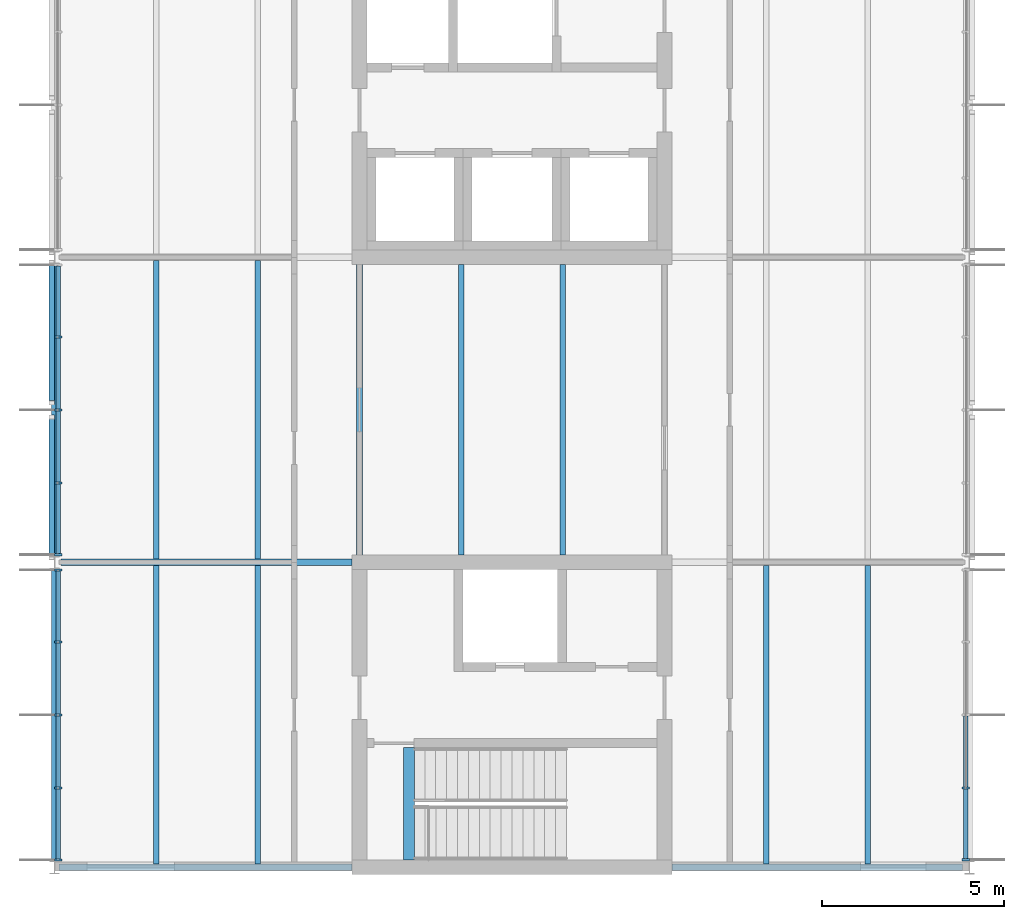
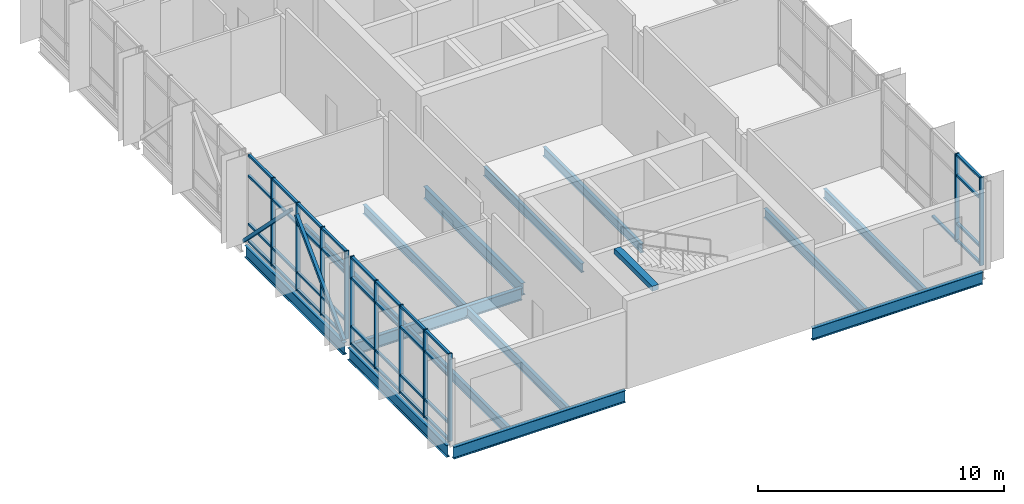
# One storey, part 3 of 17: 50 members, 15 beams, 3 elements without a shape of their own.
"""IFC4 building model written with IfcOpenShell, lengths in metres."""

from ifc_helpers import new_model, si_unit, direction, frame, origin, origin_2d, place, context, subcontext, project, spatial, rectangle, hollow_rectangle, i_section, extrude, material, material_profile, profile_set, type_object, element, aggregate, save


model = new_model("IFC4")

# Units and contexts
model_context = context("Model", 3, precision=1e-05, world=origin(), true_north=direction((0.0, 1.0)))
body_context = subcontext(model_context, "Body", "Model", "MODEL_VIEW")
ifc_project = project(units=[si_unit("LENGTHUNIT", "METRE"), si_unit("AREAUNIT", "SQUARE_METRE"), si_unit("VOLUMEUNIT", "CUBIC_METRE"), si_unit("PLANEANGLEUNIT", "RADIAN"), si_unit("MASSUNIT", "GRAM", prefix="KILO")], contexts=[model_context])

# Site, building, storey
site_placement = place(None, origin())
site = spatial("IfcSite", under=ifc_project, at=site_placement, CompositionType="ELEMENT")
building_placement = place(site_placement, origin())
building = spatial("IfcBuilding", under=site, at=building_placement, Name="Hlaing Beacon Police Headquarters", CompositionType="ELEMENT")
storey_placement = place(building_placement, frame((0.0, 0.0, 36.89990234375)))
storey = spatial("IfcBuildingStorey", under=building, at=storey_placement, Name="L08", CompositionType="ELEMENT", Elevation=36.89990234375)

# Members
ifc_material_1 = material(Name="Steel ASTM A500 Grade C", Category="steel")
ifc_material_profile_1 = material_profile(ifc_material_1, hollow_rectangle(XDim=0.15234375, YDim=0.15234375, WallThickness=0.009521484375, at=origin_2d()), Name="HSS6x6x3/8")
ifc_profile_set_1 = profile_set([ifc_material_profile_1], Name="Steel ASTM A500 Grade C")
member_type_1 = type_object("IfcMemberType", Name="Chevron brace HSS6x6x3/8", PredefinedType="BRACE", material=ifc_profile_set_1)
for number, where, z_axis, x_axis, name in (
    (1, (100.7197265625, 42.1298828125, 0.05419921875), (0.0, 0.704124468733, 0.710076568077), (-1.0, 0.0, 0.0), "STR-BR-L08-N6a"),
    (2, (100.7197265625, 50.27001953125, 0.05419921875), (0.0, -0.704124468733, 0.710076568077), (1.0, 0.0, 0.0), "STR-BR-L08-N6b"),
):
    element("IfcMember", number, at=place(storey_placement, frame(where, z_axis=z_axis, x_axis=x_axis)), inside=storey, type_object=member_type_1, Name=name, PredefinedType="BRACE", context=body_context, shape_type="SweptSolid", body=[
        extrude(hollow_rectangle(XDim=0.15234375, YDim=0.15234375, WallThickness=0.009521484375, at=origin_2d()), origin(), (0.0, 0.0, 1.0), 5.496337890625),
    ])

# Beams
ifc_material_2 = material(Name="Steel ASTM A992 Grade 50", Category="steel")
ifc_material_profile_2 = material_profile(ifc_material_2, i_section(OverallWidth=0.177978515625, OverallDepth=0.599365234375, WebThickness=0.010009765625, FlangeThickness=0.012939453125, FilletRadius=0.012939453125, at=origin_2d()), Name="W24x55")
ifc_profile_set_2 = profile_set([ifc_material_profile_2], Name="Steel ASTM A992 Grade 50")
beam_type_1 = type_object("IfcBeamType", Name="Girder W24x55", PredefinedType="BEAM", material=ifc_profile_set_2)
beam_1_placement = place(storey_placement, frame((100.927978515625, 33.60009765625, -0.4296875), z_axis=(1.0, 0.0, 0.0), x_axis=(0.0, 1.0, 0.0)))
element("IfcBeam", 3, at=beam_1_placement, inside=storey, type_object=beam_type_1, Name="STR-BM-L08-GX-N5-P5", PredefinedType="BEAM", context=body_context, shape_type="SweptSolid", body=[
    extrude(i_section(OverallWidth=0.177978515625, OverallDepth=0.599365234375, WebThickness=0.010009765625, FlangeThickness=0.012939453125, FilletRadius=0.012939453125, at=origin_2d()), origin(), (0.0, 0.0, 1.0), 8.072021484375),
])
beam_2_placement = place(storey_placement, frame((117.800048828125, 33.60009765625, -0.4296875), z_axis=(1.0, 0.0, 0.0), x_axis=(0.0, 1.0, 0.0)))
element("IfcBeam", 4, at=beam_2_placement, inside=storey, type_object=beam_type_1, Name="STR-BM-L08-GX-Q5-R5", PredefinedType="BEAM", context=body_context, shape_type="SweptSolid", body=[
    extrude(i_section(OverallWidth=0.177978515625, OverallDepth=0.599365234375, WebThickness=0.010009765625, FlangeThickness=0.012939453125, FilletRadius=0.012939453125, at=origin_2d()), origin(), (0.0, 0.0, 1.0), 8.012939453125),
])
beam_3_placement = place(storey_placement, frame((100.985107421875, 42.0, -0.4296875), z_axis=(1.0, 0.0, 0.0), x_axis=(0.0, 1.0, 0.0)))
element("IfcBeam", 5, at=beam_3_placement, inside=storey, type_object=beam_type_1, Name="STR-BM-L08-GX-N6-P6", PredefinedType="BEAM", context=body_context, shape_type="SweptSolid", body=[
    extrude(i_section(OverallWidth=0.177978515625, OverallDepth=0.599365234375, WebThickness=0.010009765625, FlangeThickness=0.012939453125, FilletRadius=0.012939453125, at=origin_2d()), origin(), (0.0, 0.0, 1.0), 8.014892578125),
])
beam_4_placement = place(storey_placement, frame((100.800048828125, 33.780029296875, -0.4296875), z_axis=(0.0, 1.0, 0.0), x_axis=(-1.0, 0.0, 0.0)))
element("IfcBeam", 6, at=beam_4_placement, inside=storey, type_object=beam_type_1, Name="STR-BM-L08-GY-N5-N6", PredefinedType="BEAM", context=body_context, shape_type="SweptSolid", body=[
    extrude(i_section(OverallWidth=0.177978515625, OverallDepth=0.599365234375, WebThickness=0.010009765625, FlangeThickness=0.012939453125, FilletRadius=0.012939453125, at=origin_2d()), origin(), (0.0, 0.0, 1.0), 8.0400390625),
])
beam_5_placement = place(storey_placement, frame((109.199951171875, 42.199951171875, -0.4296875), z_axis=(0.0, 1.0, 0.0), x_axis=(-1.0, 0.0, 0.0)))
element("IfcBeam", 7, at=beam_5_placement, inside=storey, type_object=beam_type_1, Name="STR-BM-L08-GY-P6-P7", PredefinedType="BEAM", context=body_context, shape_type="SweptSolid", body=[
    extrude(i_section(OverallWidth=0.177978515625, OverallDepth=0.599365234375, WebThickness=0.010009765625, FlangeThickness=0.012939453125, FilletRadius=0.012939453125, at=origin_2d()), origin(), (0.0, 0.0, 1.0), 8.0),
])
ifc_material_3 = material(Name="Steel ASTM A992 Grade 50", Category="steel")
ifc_material_profile_3 = material_profile(ifc_material_3, i_section(OverallWidth=0.1787109375, OverallDepth=0.60205078125, WebThickness=0.010986328125, FlangeThickness=0.014892578125, FilletRadius=0.0126953125, at=origin_2d()), Name="W24x62")
ifc_profile_set_3 = profile_set([ifc_material_profile_3], Name="Steel ASTM A992 Grade 50")
beam_type_2 = type_object("IfcBeamType", Name="Girder W24x62", PredefinedType="BEAM", material=ifc_profile_set_3)
beam_6_placement = place(storey_placement, frame((100.800048828125, 42.179931640625, -0.430908203125), z_axis=(0.0, 1.0, 0.0), x_axis=(-1.0, 0.0, 0.0)))
element("IfcBeam", 8, at=beam_6_placement, inside=storey, type_object=beam_type_2, Name="STR-BM-L08-GY-N6-N7", PredefinedType="BEAM", context=body_context, shape_type="SweptSolid", body=[
    extrude(i_section(OverallWidth=0.1787109375, OverallDepth=0.60205078125, WebThickness=0.010986328125, FlangeThickness=0.014892578125, FilletRadius=0.0126953125, at=origin_2d()), origin(), (0.0, 0.0, 1.0), 8.0400390625),
])

# Curtain wall, members
ifc_material_4 = material(Name="Aluminium frame with solar control glazing", Category="aluminium")
curtain_wall_type = type_object("IfcCurtainWallType", Name="Unitised curtain wall 8.04 x 4.37", PredefinedType="NOTDEFINED", material=ifc_material_4)
curtain_wall_1_placement = place(storey_placement, origin())
curtain_wall_1 = element("IfcCurtainWall", 9, at=curtain_wall_1_placement, inside=storey, type_object=curtain_wall_type, Name="ENV-CW-L08-E001", PredefinedType="NOTDEFINED")
ifc_material_5 = material(Name="Aluminium", Category="aluminium")
ifc_material_profile_4 = material_profile(ifc_material_5, rectangle(XDim=0.199951171875, YDim=0.06005859375, at=origin_2d()), Name="Mullion 60x200")
ifc_profile_set_4 = profile_set([ifc_material_profile_4], Name="Aluminium")
member_type_2 = type_object("IfcMemberType", Name="Mullion 60x200", PredefinedType="MULLION", material=ifc_profile_set_4)
member_1_placement = place(storey_placement, frame((125.89990234375, 33.8115234375, 0.0), z_axis=(0.0, 0.0, 1.0), x_axis=(-1.0, 0.0, 0.0)))
member_1 = element("IfcMember", 10, at=member_1_placement, type_object=member_type_2, Name="CW-L08-E001 mullion 1", PredefinedType="MULLION", context=body_context, shape_type="SweptSolid", body=[
    extrude(rectangle(XDim=0.199951171875, YDim=0.06005859375, at=origin_2d()), origin(), (0.0, 0.0, 1.0), 4.3701171875),
])
member_2_placement = place(storey_placement, frame((125.89990234375, 35.790771484375, 0.0), z_axis=(0.0, 0.0, 1.0), x_axis=(-1.0, 0.0, 0.0)))
member_2 = element("IfcMember", 11, at=member_2_placement, type_object=member_type_2, Name="CW-L08-E001 mullion 2", PredefinedType="MULLION", context=body_context, shape_type="SweptSolid", body=[
    extrude(rectangle(XDim=0.199951171875, YDim=0.06005859375, at=origin_2d()), origin(), (0.0, 0.0, 1.0), 4.3701171875),
])

curtain_wall_2_placement = place(storey_placement, origin())
curtain_wall_2 = element("IfcCurtainWall", 12, at=curtain_wall_2_placement, inside=storey, type_object=curtain_wall_type, Name="ENV-CW-L08-W007", PredefinedType="NOTDEFINED")
member_3_placement = place(storey_placement, frame((100.89990234375, 48.209228515625, 0.0), z_axis=(0.0, 0.0, 1.0), x_axis=(1.0, 0.0, 0.0)))
member_3 = element("IfcMember", 13, at=member_3_placement, type_object=member_type_2, Name="CW-L08-W007 mullion 2", PredefinedType="MULLION", context=body_context, shape_type="SweptSolid", body=[
    extrude(rectangle(XDim=0.199951171875, YDim=0.06005859375, at=origin_2d()), origin(), (0.0, 0.0, 1.0), 4.3701171875),
])
member_4_placement = place(storey_placement, frame((100.89990234375, 46.199951171875, 0.0), z_axis=(0.0, 0.0, 1.0), x_axis=(1.0, 0.0, 0.0)))
member_4 = element("IfcMember", 14, at=member_4_placement, type_object=member_type_2, Name="CW-L08-W007 mullion 3", PredefinedType="MULLION", context=body_context, shape_type="SweptSolid", body=[
    extrude(rectangle(XDim=0.199951171875, YDim=0.06005859375, at=origin_2d()), origin(), (0.0, 0.0, 1.0), 4.3701171875),
])
member_5_placement = place(storey_placement, frame((100.89990234375, 44.19091796875, 0.0), z_axis=(0.0, 0.0, 1.0), x_axis=(1.0, 0.0, 0.0)))
member_5 = element("IfcMember", 15, at=member_5_placement, type_object=member_type_2, Name="CW-L08-W007 mullion 4", PredefinedType="MULLION", context=body_context, shape_type="SweptSolid", body=[
    extrude(rectangle(XDim=0.199951171875, YDim=0.06005859375, at=origin_2d()), origin(), (0.0, 0.0, 1.0), 4.3701171875),
])
member_6_placement = place(storey_placement, frame((100.89990234375, 42.211669921875, 0.0), z_axis=(0.0, 0.0, 1.0), x_axis=(1.0, 0.0, 0.0)))
member_6 = element("IfcMember", 16, at=member_6_placement, type_object=member_type_2, Name="CW-L08-W007 mullion 5", PredefinedType="MULLION", context=body_context, shape_type="SweptSolid", body=[
    extrude(rectangle(XDim=0.199951171875, YDim=0.06005859375, at=origin_2d()), origin(), (0.0, 0.0, 1.0), 4.3701171875),
])

curtain_wall_3_placement = place(storey_placement, origin())
curtain_wall_3 = element("IfcCurtainWall", 17, at=curtain_wall_3_placement, inside=storey, type_object=curtain_wall_type, Name="ENV-CW-L08-W008", PredefinedType="NOTDEFINED")
member_7_placement = place(storey_placement, frame((100.89990234375, 41.788330078125, 0.0), z_axis=(0.0, 0.0, 1.0), x_axis=(1.0, 0.0, 0.0)))
member_7 = element("IfcMember", 18, at=member_7_placement, type_object=member_type_2, Name="CW-L08-W008 mullion 1", PredefinedType="MULLION", context=body_context, shape_type="SweptSolid", body=[
    extrude(rectangle(XDim=0.199951171875, YDim=0.06005859375, at=origin_2d()), origin(), (0.0, 0.0, 1.0), 4.3701171875),
])
member_8_placement = place(storey_placement, frame((100.89990234375, 39.807861328125, 0.0), z_axis=(0.0, 0.0, 1.0), x_axis=(1.0, 0.0, 0.0)))
member_8 = element("IfcMember", 19, at=member_8_placement, type_object=member_type_2, Name="CW-L08-W008 mullion 2", PredefinedType="MULLION", context=body_context, shape_type="SweptSolid", body=[
    extrude(rectangle(XDim=0.199951171875, YDim=0.06005859375, at=origin_2d()), origin(), (0.0, 0.0, 1.0), 4.3701171875),
])
member_9_placement = place(storey_placement, frame((100.89990234375, 37.79736328125, 0.0), z_axis=(0.0, 0.0, 1.0), x_axis=(1.0, 0.0, 0.0)))
member_9 = element("IfcMember", 20, at=member_9_placement, type_object=member_type_2, Name="CW-L08-W008 mullion 3", PredefinedType="MULLION", context=body_context, shape_type="SweptSolid", body=[
    extrude(rectangle(XDim=0.199951171875, YDim=0.06005859375, at=origin_2d()), origin(), (0.0, 0.0, 1.0), 4.3701171875),
])
member_10_placement = place(storey_placement, frame((100.89990234375, 35.786865234375, 0.0), z_axis=(0.0, 0.0, 1.0), x_axis=(1.0, 0.0, 0.0)))
member_10 = element("IfcMember", 21, at=member_10_placement, type_object=member_type_2, Name="CW-L08-W008 mullion 4", PredefinedType="MULLION", context=body_context, shape_type="SweptSolid", body=[
    extrude(rectangle(XDim=0.199951171875, YDim=0.06005859375, at=origin_2d()), origin(), (0.0, 0.0, 1.0), 4.3701171875),
])
member_11_placement = place(storey_placement, frame((100.89990234375, 33.806396484375, 0.0), z_axis=(0.0, 0.0, 1.0), x_axis=(1.0, 0.0, 0.0)))
member_11 = element("IfcMember", 22, at=member_11_placement, type_object=member_type_2, Name="CW-L08-W008 mullion 5", PredefinedType="MULLION", context=body_context, shape_type="SweptSolid", body=[
    extrude(rectangle(XDim=0.199951171875, YDim=0.06005859375, at=origin_2d()), origin(), (0.0, 0.0, 1.0), 4.3701171875),
])

# Beams
ifc_material_6 = material(Name="Steel ASTM A992 Grade 50", Category="steel")
ifc_material_profile_5 = material_profile(ifc_material_6, i_section(OverallWidth=0.15234375, OverallDepth=0.449462890625, WebThickness=0.007568359375, FlangeThickness=0.0107421875, FilletRadius=0.01025390625, at=origin_2d()), Name="W18x35")
ifc_profile_set_5 = profile_set([ifc_material_profile_5], Name="Steel ASTM A992 Grade 50")
beam_type_3 = type_object("IfcBeamType", Name="Secondary beam W18x35", PredefinedType="BEAM", material=ifc_profile_set_5)
for number, where, z_axis, x_axis, name in (
    (23, (103.60009765625, 33.68896484375, -0.354736328125), (0.0, 1.0, 0.0), (-1.0, 0.0, 0.0), "STR-BM-L08-SB-N5-y1"),
    (24, (106.39990234375, 33.68896484375, -0.354736328125), (0.0, 1.0, 0.0), (-1.0, 0.0, 0.0), "STR-BM-L08-SB-N5-y2"),
    (25, (103.60009765625, 42.089111328125, -0.354736328125), (0.0, 1.0, 0.0), (-1.0, 0.0, 0.0), "STR-BM-L08-SB-N6-y1"),
    (26, (106.39990234375, 42.089111328125, -0.354736328125), (0.0, 1.0, 0.0), (-1.0, 0.0, 0.0), "STR-BM-L08-SB-N6-y2"),
):
    element("IfcBeam", number, at=place(storey_placement, frame(where, z_axis=z_axis, x_axis=x_axis)), inside=storey, type_object=beam_type_3, Name=name, PredefinedType="BEAM", context=body_context, shape_type="SweptSolid", body=[
        extrude(i_section(OverallWidth=0.15234375, OverallDepth=0.449462890625, WebThickness=0.007568359375, FlangeThickness=0.0107421875, FilletRadius=0.01025390625, at=origin_2d()), origin(), (0.0, 0.0, 1.0), 8.221923828125),
    ])
for number, where, z_axis, x_axis, name in (
    (27, (112.0, 42.199951171875, -0.354736328125), (0.0, 1.0, 0.0), (-1.0, 0.0, 0.0), "STR-BM-L08-SB-P6-y1"),
    (28, (114.800048828125, 42.199951171875, -0.354736328125), (0.0, 1.0, 0.0), (-1.0, 0.0, 0.0), "STR-BM-L08-SB-P6-y2"),
):
    element("IfcBeam", number, at=place(storey_placement, frame(where, z_axis=z_axis, x_axis=x_axis)), inside=storey, type_object=beam_type_3, Name=name, PredefinedType="BEAM", context=body_context, shape_type="SweptSolid", body=[
        extrude(i_section(OverallWidth=0.15234375, OverallDepth=0.449462890625, WebThickness=0.007568359375, FlangeThickness=0.0107421875, FilletRadius=0.01025390625, at=origin_2d()), origin(), (0.0, 0.0, 1.0), 8.0),
    ])
for number, where, z_axis, x_axis, name in (
    (29, (120.39990234375, 33.68896484375, -0.354736328125), (0.0, 1.0, 0.0), (-1.0, 0.0, 0.0), "STR-BM-L08-SB-Q5-y1"),
    (30, (123.199951171875, 33.68896484375, -0.354736328125), (0.0, 1.0, 0.0), (-1.0, 0.0, 0.0), "STR-BM-L08-SB-Q5-y2"),
):
    element("IfcBeam", number, at=place(storey_placement, frame(where, z_axis=z_axis, x_axis=x_axis)), inside=storey, type_object=beam_type_3, Name=name, PredefinedType="BEAM", context=body_context, shape_type="SweptSolid", body=[
        extrude(i_section(OverallWidth=0.15234375, OverallDepth=0.449462890625, WebThickness=0.007568359375, FlangeThickness=0.0107421875, FilletRadius=0.01025390625, at=origin_2d()), origin(), (0.0, 0.0, 1.0), 8.221923828125),
    ])
ifc_material_7 = material(Name="Concrete C40/50", Category="concrete")
ifc_material_profile_6 = material_profile(ifc_material_7, rectangle(XDim=0.300048828125, YDim=0.25, at=origin_2d()), Name="Stair arrival beam 300x250")
ifc_profile_set_6 = profile_set([ifc_material_profile_6], Name="Concrete C40/50")
beam_type_4 = type_object("IfcBeamType", Name="Stair arrival beam 300x250", PredefinedType="BEAM", material=ifc_profile_set_6)
beam_7_placement = place(storey_placement, frame((110.56005859375, 33.800048828125, 4.2451171875), z_axis=(0.0, 1.0, 0.0), x_axis=(-1.0, 0.0, 0.0)))
element("IfcBeam", 31, at=beam_7_placement, inside=storey, type_object=beam_type_4, Name="Stair arrival beam ST-L", PredefinedType="BEAM", context=body_context, shape_type="SweptSolid", body=[
    extrude(rectangle(XDim=0.300048828125, YDim=0.25, at=origin_2d()), origin(), (0.0, 0.0, 1.0), 3.099853515625),
])

# Member
ifc_material_8 = material(Name="Aluminium", Category="aluminium")
ifc_material_profile_7 = material_profile(ifc_material_8, rectangle(XDim=0.1201171875, YDim=0.10009765625, at=origin_2d()), Name="Transom 120x100")
ifc_profile_set_7 = profile_set([ifc_material_profile_7], Name="Aluminium")
member_type_3 = type_object("IfcMemberType", Name="Transom 120x100", PredefinedType="USERDEFINED", material=ifc_profile_set_7)
member_12_placement = place(storey_placement, frame((125.89990234375, 33.841552734375, 0.050048828125), z_axis=(0.0, 1.0, 0.0), x_axis=(-1.0, 0.0, 0.0)))
member_12 = element("IfcMember", 32, at=member_12_placement, type_object=member_type_3, Name="CW-L08-E001 transom 1.1", ObjectType="TRANSOM", PredefinedType="USERDEFINED", context=body_context, shape_type="SweptSolid", body=[
    extrude(rectangle(XDim=0.1201171875, YDim=0.10009765625, at=origin_2d()), origin(), (0.0, 0.0, 1.0), 1.919189453125),
])

member_13_placement = place(storey_placement, frame((125.89990234375, 33.841552734375, 0.900146484375), z_axis=(0.0, 1.0, 0.0), x_axis=(-1.0, 0.0, 0.0)))
member_13 = element("IfcMember", 33, at=member_13_placement, type_object=member_type_3, Name="CW-L08-E001 transom 1.2", ObjectType="TRANSOM", PredefinedType="USERDEFINED", context=body_context, shape_type="SweptSolid", body=[
    extrude(rectangle(XDim=0.1201171875, YDim=0.10009765625, at=origin_2d()), origin(), (0.0, 0.0, 1.0), 1.919189453125),
])

member_14_placement = place(storey_placement, frame((125.89990234375, 33.841552734375, 3.300048828125), z_axis=(0.0, 1.0, 0.0), x_axis=(-1.0, 0.0, 0.0)))
member_14 = element("IfcMember", 34, at=member_14_placement, type_object=member_type_3, Name="CW-L08-E001 transom 1.3", ObjectType="TRANSOM", PredefinedType="USERDEFINED", context=body_context, shape_type="SweptSolid", body=[
    extrude(rectangle(XDim=0.1201171875, YDim=0.10009765625, at=origin_2d()), origin(), (0.0, 0.0, 1.0), 1.919189453125),
])

member_15_placement = place(storey_placement, frame((125.89990234375, 33.841552734375, 4.320068359375), z_axis=(0.0, 1.0, 0.0), x_axis=(-1.0, 0.0, 0.0)))
member_15 = element("IfcMember", 35, at=member_15_placement, type_object=member_type_3, Name="CW-L08-E001 transom 1.4", ObjectType="TRANSOM", PredefinedType="USERDEFINED", context=body_context, shape_type="SweptSolid", body=[
    extrude(rectangle(XDim=0.1201171875, YDim=0.10009765625, at=origin_2d()), origin(), (0.0, 0.0, 1.0), 1.919189453125),
])

member_16_placement = place(storey_placement, frame((125.89990234375, 35.82080078125, 0.050048828125), z_axis=(0.0, 1.0, 0.0), x_axis=(-1.0, 0.0, 0.0)))
member_16 = element("IfcMember", 36, at=member_16_placement, type_object=member_type_3, Name="CW-L08-E001 transom 2.1", ObjectType="TRANSOM", PredefinedType="USERDEFINED", context=body_context, shape_type="SweptSolid", body=[
    extrude(rectangle(XDim=0.1201171875, YDim=0.10009765625, at=origin_2d()), origin(), (0.0, 0.0, 1.0), 1.94921875),
])

aggregate(curtain_wall_1, [member_1, member_2, member_12, member_13, member_14, member_15, member_16])

member_17_placement = place(storey_placement, frame((100.89990234375, 50.158447265625, 0.050048828125), z_axis=(0.0, -1.0, 0.0), x_axis=(1.0, 0.0, 0.0)))
member_17 = element("IfcMember", 37, at=member_17_placement, type_object=member_type_3, Name="CW-L08-W007 transom 1.1", ObjectType="TRANSOM", PredefinedType="USERDEFINED", context=body_context, shape_type="SweptSolid", body=[
    extrude(rectangle(XDim=0.1201171875, YDim=0.10009765625, at=origin_2d()), origin(), (0.0, 0.0, 1.0), 1.919189453125),
])

member_18_placement = place(storey_placement, frame((100.89990234375, 50.158447265625, 0.900146484375), z_axis=(0.0, -1.0, 0.0), x_axis=(1.0, 0.0, 0.0)))
member_18 = element("IfcMember", 38, at=member_18_placement, type_object=member_type_3, Name="CW-L08-W007 transom 1.2", ObjectType="TRANSOM", PredefinedType="USERDEFINED", context=body_context, shape_type="SweptSolid", body=[
    extrude(rectangle(XDim=0.1201171875, YDim=0.10009765625, at=origin_2d()), origin(), (0.0, 0.0, 1.0), 1.919189453125),
])

member_19_placement = place(storey_placement, frame((100.89990234375, 50.158447265625, 3.300048828125), z_axis=(0.0, -1.0, 0.0), x_axis=(1.0, 0.0, 0.0)))
member_19 = element("IfcMember", 39, at=member_19_placement, type_object=member_type_3, Name="CW-L08-W007 transom 1.3", ObjectType="TRANSOM", PredefinedType="USERDEFINED", context=body_context, shape_type="SweptSolid", body=[
    extrude(rectangle(XDim=0.1201171875, YDim=0.10009765625, at=origin_2d()), origin(), (0.0, 0.0, 1.0), 1.919189453125),
])

member_20_placement = place(storey_placement, frame((100.89990234375, 50.158447265625, 4.320068359375), z_axis=(0.0, -1.0, 0.0), x_axis=(1.0, 0.0, 0.0)))
member_20 = element("IfcMember", 40, at=member_20_placement, type_object=member_type_3, Name="CW-L08-W007 transom 1.4", ObjectType="TRANSOM", PredefinedType="USERDEFINED", context=body_context, shape_type="SweptSolid", body=[
    extrude(rectangle(XDim=0.1201171875, YDim=0.10009765625, at=origin_2d()), origin(), (0.0, 0.0, 1.0), 1.919189453125),
])

member_21_placement = place(storey_placement, frame((100.89990234375, 48.17919921875, 0.050048828125), z_axis=(0.0, -1.0, 0.0), x_axis=(1.0, 0.0, 0.0)))
member_21 = element("IfcMember", 41, at=member_21_placement, type_object=member_type_3, Name="CW-L08-W007 transom 2.1", ObjectType="TRANSOM", PredefinedType="USERDEFINED", context=body_context, shape_type="SweptSolid", body=[
    extrude(rectangle(XDim=0.1201171875, YDim=0.10009765625, at=origin_2d()), origin(), (0.0, 0.0, 1.0), 1.94921875),
])

member_22_placement = place(storey_placement, frame((100.89990234375, 48.17919921875, 0.900146484375), z_axis=(0.0, -1.0, 0.0), x_axis=(1.0, 0.0, 0.0)))
member_22 = element("IfcMember", 42, at=member_22_placement, type_object=member_type_3, Name="CW-L08-W007 transom 2.2", ObjectType="TRANSOM", PredefinedType="USERDEFINED", context=body_context, shape_type="SweptSolid", body=[
    extrude(rectangle(XDim=0.1201171875, YDim=0.10009765625, at=origin_2d()), origin(), (0.0, 0.0, 1.0), 1.94921875),
])

member_23_placement = place(storey_placement, frame((100.89990234375, 48.17919921875, 3.300048828125), z_axis=(0.0, -1.0, 0.0), x_axis=(1.0, 0.0, 0.0)))
member_23 = element("IfcMember", 43, at=member_23_placement, type_object=member_type_3, Name="CW-L08-W007 transom 2.3", ObjectType="TRANSOM", PredefinedType="USERDEFINED", context=body_context, shape_type="SweptSolid", body=[
    extrude(rectangle(XDim=0.1201171875, YDim=0.10009765625, at=origin_2d()), origin(), (0.0, 0.0, 1.0), 1.94921875),
])

member_24_placement = place(storey_placement, frame((100.89990234375, 48.17919921875, 4.320068359375), z_axis=(0.0, -1.0, 0.0), x_axis=(1.0, 0.0, 0.0)))
member_24 = element("IfcMember", 44, at=member_24_placement, type_object=member_type_3, Name="CW-L08-W007 transom 2.4", ObjectType="TRANSOM", PredefinedType="USERDEFINED", context=body_context, shape_type="SweptSolid", body=[
    extrude(rectangle(XDim=0.1201171875, YDim=0.10009765625, at=origin_2d()), origin(), (0.0, 0.0, 1.0), 1.94921875),
])

member_25_placement = place(storey_placement, frame((100.89990234375, 46.169921875, 0.050048828125), z_axis=(0.0, -1.0, 0.0), x_axis=(1.0, 0.0, 0.0)))
member_25 = element("IfcMember", 45, at=member_25_placement, type_object=member_type_3, Name="CW-L08-W007 transom 3.1", ObjectType="TRANSOM", PredefinedType="USERDEFINED", context=body_context, shape_type="SweptSolid", body=[
    extrude(rectangle(XDim=0.1201171875, YDim=0.10009765625, at=origin_2d()), origin(), (0.0, 0.0, 1.0), 1.94921875),
])

member_26_placement = place(storey_placement, frame((100.89990234375, 46.169921875, 0.900146484375), z_axis=(0.0, -1.0, 0.0), x_axis=(1.0, 0.0, 0.0)))
member_26 = element("IfcMember", 46, at=member_26_placement, type_object=member_type_3, Name="CW-L08-W007 transom 3.2", ObjectType="TRANSOM", PredefinedType="USERDEFINED", context=body_context, shape_type="SweptSolid", body=[
    extrude(rectangle(XDim=0.1201171875, YDim=0.10009765625, at=origin_2d()), origin(), (0.0, 0.0, 1.0), 1.94921875),
])

member_27_placement = place(storey_placement, frame((100.89990234375, 46.169921875, 3.300048828125), z_axis=(0.0, -1.0, 0.0), x_axis=(1.0, 0.0, 0.0)))
member_27 = element("IfcMember", 47, at=member_27_placement, type_object=member_type_3, Name="CW-L08-W007 transom 3.3", ObjectType="TRANSOM", PredefinedType="USERDEFINED", context=body_context, shape_type="SweptSolid", body=[
    extrude(rectangle(XDim=0.1201171875, YDim=0.10009765625, at=origin_2d()), origin(), (0.0, 0.0, 1.0), 1.94921875),
])

member_28_placement = place(storey_placement, frame((100.89990234375, 46.169921875, 4.320068359375), z_axis=(0.0, -1.0, 0.0), x_axis=(1.0, 0.0, 0.0)))
member_28 = element("IfcMember", 48, at=member_28_placement, type_object=member_type_3, Name="CW-L08-W007 transom 3.4", ObjectType="TRANSOM", PredefinedType="USERDEFINED", context=body_context, shape_type="SweptSolid", body=[
    extrude(rectangle(XDim=0.1201171875, YDim=0.10009765625, at=origin_2d()), origin(), (0.0, 0.0, 1.0), 1.94921875),
])

member_29_placement = place(storey_placement, frame((100.89990234375, 44.160888671875, 0.050048828125), z_axis=(0.0, -1.0, 0.0), x_axis=(1.0, 0.0, 0.0)))
member_29 = element("IfcMember", 49, at=member_29_placement, type_object=member_type_3, Name="CW-L08-W007 transom 4.1", ObjectType="TRANSOM", PredefinedType="USERDEFINED", context=body_context, shape_type="SweptSolid", body=[
    extrude(rectangle(XDim=0.1201171875, YDim=0.10009765625, at=origin_2d()), origin(), (0.0, 0.0, 1.0), 1.919189453125),
])

member_30_placement = place(storey_placement, frame((100.89990234375, 44.160888671875, 0.900146484375), z_axis=(0.0, -1.0, 0.0), x_axis=(1.0, 0.0, 0.0)))
member_30 = element("IfcMember", 50, at=member_30_placement, type_object=member_type_3, Name="CW-L08-W007 transom 4.2", ObjectType="TRANSOM", PredefinedType="USERDEFINED", context=body_context, shape_type="SweptSolid", body=[
    extrude(rectangle(XDim=0.1201171875, YDim=0.10009765625, at=origin_2d()), origin(), (0.0, 0.0, 1.0), 1.919189453125),
])

member_31_placement = place(storey_placement, frame((100.89990234375, 44.160888671875, 3.300048828125), z_axis=(0.0, -1.0, 0.0), x_axis=(1.0, 0.0, 0.0)))
member_31 = element("IfcMember", 51, at=member_31_placement, type_object=member_type_3, Name="CW-L08-W007 transom 4.3", ObjectType="TRANSOM", PredefinedType="USERDEFINED", context=body_context, shape_type="SweptSolid", body=[
    extrude(rectangle(XDim=0.1201171875, YDim=0.10009765625, at=origin_2d()), origin(), (0.0, 0.0, 1.0), 1.919189453125),
])

member_32_placement = place(storey_placement, frame((100.89990234375, 44.160888671875, 4.320068359375), z_axis=(0.0, -1.0, 0.0), x_axis=(1.0, 0.0, 0.0)))
member_32 = element("IfcMember", 52, at=member_32_placement, type_object=member_type_3, Name="CW-L08-W007 transom 4.4", ObjectType="TRANSOM", PredefinedType="USERDEFINED", context=body_context, shape_type="SweptSolid", body=[
    extrude(rectangle(XDim=0.1201171875, YDim=0.10009765625, at=origin_2d()), origin(), (0.0, 0.0, 1.0), 1.919189453125),
])

aggregate(curtain_wall_2, [member_3, member_4, member_5, member_6, member_17, member_18, member_19, member_20, member_21, member_22, member_23, member_24, member_25, member_26, member_27, member_28, member_29, member_30, member_31, member_32])

member_33_placement = place(storey_placement, frame((100.89990234375, 41.75830078125, 0.050048828125), z_axis=(0.0, -1.0, 0.0), x_axis=(1.0, 0.0, 0.0)))
member_33 = element("IfcMember", 53, at=member_33_placement, type_object=member_type_3, Name="CW-L08-W008 transom 1.1", ObjectType="TRANSOM", PredefinedType="USERDEFINED", context=body_context, shape_type="SweptSolid", body=[
    extrude(rectangle(XDim=0.1201171875, YDim=0.10009765625, at=origin_2d()), origin(), (0.0, 0.0, 1.0), 1.92041015625),
])

member_34_placement = place(storey_placement, frame((100.89990234375, 41.75830078125, 0.900146484375), z_axis=(0.0, -1.0, 0.0), x_axis=(1.0, 0.0, 0.0)))
member_34 = element("IfcMember", 54, at=member_34_placement, type_object=member_type_3, Name="CW-L08-W008 transom 1.2", ObjectType="TRANSOM", PredefinedType="USERDEFINED", context=body_context, shape_type="SweptSolid", body=[
    extrude(rectangle(XDim=0.1201171875, YDim=0.10009765625, at=origin_2d()), origin(), (0.0, 0.0, 1.0), 1.92041015625),
])

member_35_placement = place(storey_placement, frame((100.89990234375, 41.75830078125, 3.300048828125), z_axis=(0.0, -1.0, 0.0), x_axis=(1.0, 0.0, 0.0)))
member_35 = element("IfcMember", 55, at=member_35_placement, type_object=member_type_3, Name="CW-L08-W008 transom 1.3", ObjectType="TRANSOM", PredefinedType="USERDEFINED", context=body_context, shape_type="SweptSolid", body=[
    extrude(rectangle(XDim=0.1201171875, YDim=0.10009765625, at=origin_2d()), origin(), (0.0, 0.0, 1.0), 1.92041015625),
])

member_36_placement = place(storey_placement, frame((100.89990234375, 41.75830078125, 4.320068359375), z_axis=(0.0, -1.0, 0.0), x_axis=(1.0, 0.0, 0.0)))
member_36 = element("IfcMember", 56, at=member_36_placement, type_object=member_type_3, Name="CW-L08-W008 transom 1.4", ObjectType="TRANSOM", PredefinedType="USERDEFINED", context=body_context, shape_type="SweptSolid", body=[
    extrude(rectangle(XDim=0.1201171875, YDim=0.10009765625, at=origin_2d()), origin(), (0.0, 0.0, 1.0), 1.92041015625),
])

member_37_placement = place(storey_placement, frame((100.89990234375, 39.77783203125, 0.050048828125), z_axis=(0.0, -1.0, 0.0), x_axis=(1.0, 0.0, 0.0)))
member_37 = element("IfcMember", 57, at=member_37_placement, type_object=member_type_3, Name="CW-L08-W008 transom 2.1", ObjectType="TRANSOM", PredefinedType="USERDEFINED", context=body_context, shape_type="SweptSolid", body=[
    extrude(rectangle(XDim=0.1201171875, YDim=0.10009765625, at=origin_2d()), origin(), (0.0, 0.0, 1.0), 1.950439453125),
])

member_38_placement = place(storey_placement, frame((100.89990234375, 39.77783203125, 0.900146484375), z_axis=(0.0, -1.0, 0.0), x_axis=(1.0, 0.0, 0.0)))
member_38 = element("IfcMember", 58, at=member_38_placement, type_object=member_type_3, Name="CW-L08-W008 transom 2.2", ObjectType="TRANSOM", PredefinedType="USERDEFINED", context=body_context, shape_type="SweptSolid", body=[
    extrude(rectangle(XDim=0.1201171875, YDim=0.10009765625, at=origin_2d()), origin(), (0.0, 0.0, 1.0), 1.950439453125),
])

member_39_placement = place(storey_placement, frame((100.89990234375, 39.77783203125, 3.300048828125), z_axis=(0.0, -1.0, 0.0), x_axis=(1.0, 0.0, 0.0)))
member_39 = element("IfcMember", 59, at=member_39_placement, type_object=member_type_3, Name="CW-L08-W008 transom 2.3", ObjectType="TRANSOM", PredefinedType="USERDEFINED", context=body_context, shape_type="SweptSolid", body=[
    extrude(rectangle(XDim=0.1201171875, YDim=0.10009765625, at=origin_2d()), origin(), (0.0, 0.0, 1.0), 1.950439453125),
])

member_40_placement = place(storey_placement, frame((100.89990234375, 39.77783203125, 4.320068359375), z_axis=(0.0, -1.0, 0.0), x_axis=(1.0, 0.0, 0.0)))
member_40 = element("IfcMember", 60, at=member_40_placement, type_object=member_type_3, Name="CW-L08-W008 transom 2.4", ObjectType="TRANSOM", PredefinedType="USERDEFINED", context=body_context, shape_type="SweptSolid", body=[
    extrude(rectangle(XDim=0.1201171875, YDim=0.10009765625, at=origin_2d()), origin(), (0.0, 0.0, 1.0), 1.950439453125),
])

member_41_placement = place(storey_placement, frame((100.89990234375, 37.767333984375, 0.050048828125), z_axis=(0.0, -1.0, 0.0), x_axis=(1.0, 0.0, 0.0)))
member_41 = element("IfcMember", 61, at=member_41_placement, type_object=member_type_3, Name="CW-L08-W008 transom 3.1", ObjectType="TRANSOM", PredefinedType="USERDEFINED", context=body_context, shape_type="SweptSolid", body=[
    extrude(rectangle(XDim=0.1201171875, YDim=0.10009765625, at=origin_2d()), origin(), (0.0, 0.0, 1.0), 1.950439453125),
])

member_42_placement = place(storey_placement, frame((100.89990234375, 37.767333984375, 0.900146484375), z_axis=(0.0, -1.0, 0.0), x_axis=(1.0, 0.0, 0.0)))
member_42 = element("IfcMember", 62, at=member_42_placement, type_object=member_type_3, Name="CW-L08-W008 transom 3.2", ObjectType="TRANSOM", PredefinedType="USERDEFINED", context=body_context, shape_type="SweptSolid", body=[
    extrude(rectangle(XDim=0.1201171875, YDim=0.10009765625, at=origin_2d()), origin(), (0.0, 0.0, 1.0), 1.950439453125),
])

member_43_placement = place(storey_placement, frame((100.89990234375, 37.767333984375, 3.300048828125), z_axis=(0.0, -1.0, 0.0), x_axis=(1.0, 0.0, 0.0)))
member_43 = element("IfcMember", 63, at=member_43_placement, type_object=member_type_3, Name="CW-L08-W008 transom 3.3", ObjectType="TRANSOM", PredefinedType="USERDEFINED", context=body_context, shape_type="SweptSolid", body=[
    extrude(rectangle(XDim=0.1201171875, YDim=0.10009765625, at=origin_2d()), origin(), (0.0, 0.0, 1.0), 1.950439453125),
])

member_44_placement = place(storey_placement, frame((100.89990234375, 37.767333984375, 4.320068359375), z_axis=(0.0, -1.0, 0.0), x_axis=(1.0, 0.0, 0.0)))
member_44 = element("IfcMember", 64, at=member_44_placement, type_object=member_type_3, Name="CW-L08-W008 transom 3.4", ObjectType="TRANSOM", PredefinedType="USERDEFINED", context=body_context, shape_type="SweptSolid", body=[
    extrude(rectangle(XDim=0.1201171875, YDim=0.10009765625, at=origin_2d()), origin(), (0.0, 0.0, 1.0), 1.950439453125),
])

member_45_placement = place(storey_placement, frame((100.89990234375, 35.757080078125, 0.050048828125), z_axis=(0.0, -1.0, 0.0), x_axis=(1.0, 0.0, 0.0)))
member_45 = element("IfcMember", 65, at=member_45_placement, type_object=member_type_3, Name="CW-L08-W008 transom 4.1", ObjectType="TRANSOM", PredefinedType="USERDEFINED", context=body_context, shape_type="SweptSolid", body=[
    extrude(rectangle(XDim=0.1201171875, YDim=0.10009765625, at=origin_2d()), origin(), (0.0, 0.0, 1.0), 1.920654296875),
])

member_46_placement = place(storey_placement, frame((100.89990234375, 35.757080078125, 0.900146484375), z_axis=(0.0, -1.0, 0.0), x_axis=(1.0, 0.0, 0.0)))
member_46 = element("IfcMember", 66, at=member_46_placement, type_object=member_type_3, Name="CW-L08-W008 transom 4.2", ObjectType="TRANSOM", PredefinedType="USERDEFINED", context=body_context, shape_type="SweptSolid", body=[
    extrude(rectangle(XDim=0.1201171875, YDim=0.10009765625, at=origin_2d()), origin(), (0.0, 0.0, 1.0), 1.920654296875),
])

member_47_placement = place(storey_placement, frame((100.89990234375, 35.757080078125, 3.300048828125), z_axis=(0.0, -1.0, 0.0), x_axis=(1.0, 0.0, 0.0)))
member_47 = element("IfcMember", 67, at=member_47_placement, type_object=member_type_3, Name="CW-L08-W008 transom 4.3", ObjectType="TRANSOM", PredefinedType="USERDEFINED", context=body_context, shape_type="SweptSolid", body=[
    extrude(rectangle(XDim=0.1201171875, YDim=0.10009765625, at=origin_2d()), origin(), (0.0, 0.0, 1.0), 1.920654296875),
])

member_48_placement = place(storey_placement, frame((100.89990234375, 35.757080078125, 4.320068359375), z_axis=(0.0, -1.0, 0.0), x_axis=(1.0, 0.0, 0.0)))
member_48 = element("IfcMember", 68, at=member_48_placement, type_object=member_type_3, Name="CW-L08-W008 transom 4.4", ObjectType="TRANSOM", PredefinedType="USERDEFINED", context=body_context, shape_type="SweptSolid", body=[
    extrude(rectangle(XDim=0.1201171875, YDim=0.10009765625, at=origin_2d()), origin(), (0.0, 0.0, 1.0), 1.920654296875),
])

aggregate(curtain_wall_3, [member_7, member_8, member_9, member_10, member_11, member_33, member_34, member_35, member_36, member_37, member_38, member_39, member_40, member_41, member_42, member_43, member_44, member_45, member_46, member_47, member_48])

save(model, "model.ifc")
